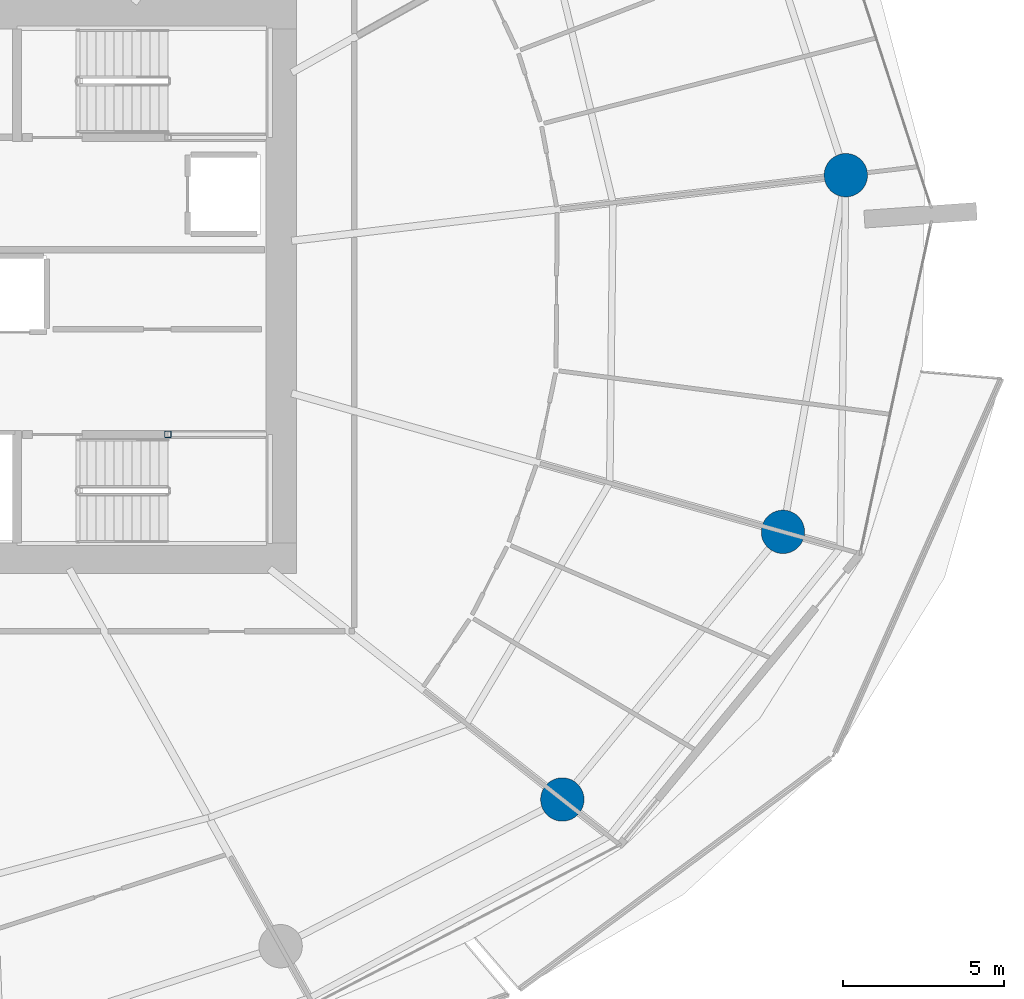
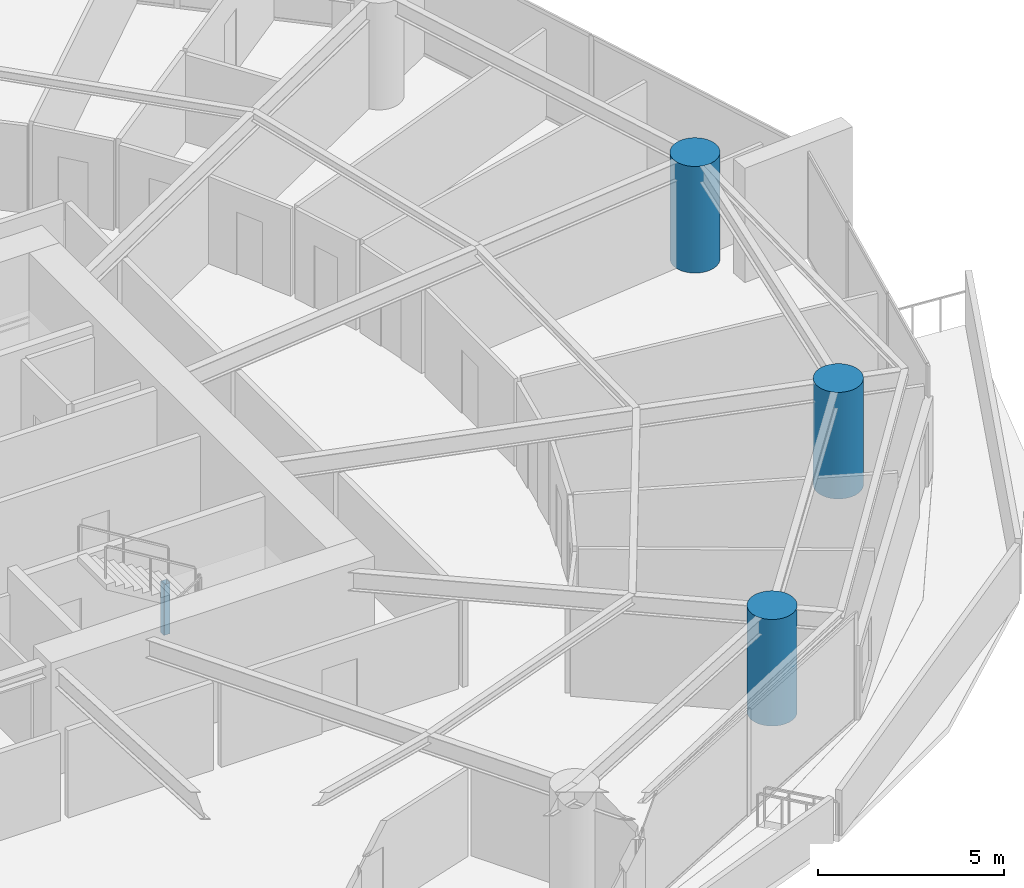
# One storey, part 3 of 31: 4 columns.
"""IFC4 building model written with IfcOpenShell, lengths in metres."""

from ifc_helpers import new_model, si_unit, direction, frame, origin, origin_2d, place, context, subcontext, project, spatial, hollow_rectangle, circle, extrude, material, material_profile, profile_set, type_object, element, save


model = new_model("IFC4")

# Units and contexts
model_context = context("Model", 3, precision=1e-05, world=origin(), true_north=direction((0.0, 1.0)))
body_context = subcontext(model_context, "Body", "Model", "MODEL_VIEW")
ifc_project = project(units=[si_unit("LENGTHUNIT", "METRE"), si_unit("AREAUNIT", "SQUARE_METRE"), si_unit("VOLUMEUNIT", "CUBIC_METRE"), si_unit("PLANEANGLEUNIT", "RADIAN"), si_unit("MASSUNIT", "GRAM", prefix="KILO")], contexts=[model_context])

# Site, building, storey
site_placement = place(None, origin())
site = spatial("IfcSite", under=ifc_project, at=site_placement, CompositionType="ELEMENT")
building_placement = place(site_placement, origin())
building = spatial("IfcBuilding", under=site, at=building_placement, Name="Kazma Halo Residences", CompositionType="ELEMENT")
storey_placement = place(building_placement, frame((0.0, 0.0, 30.14990234375)))
storey = spatial("IfcBuildingStorey", under=building, at=storey_placement, Name="L06", CompositionType="ELEMENT", Elevation=30.14990234375)

# Columns
ifc_material_1 = material(Name="Steel S355", Category="steel")
ifc_material_profile_1 = material_profile(ifc_material_1, hollow_rectangle(XDim=0.199951171875, YDim=0.199951171875, WallThickness=0.010009765625, InnerFilletRadius=0.010009765625, OuterFilletRadius=0.02001953125, at=origin_2d()), Name="SHS200x200x10")
ifc_profile_set_1 = profile_set([ifc_material_profile_1], Name="Steel S355")
column_type_1 = type_object("IfcColumnType", Name="COL-LP-SHS200", PredefinedType="COLUMN", material=ifc_profile_set_1)
column_placement = place(storey_placement, frame((56.0, 37.3798828125, 0.0), z_axis=(0.0, 0.0, 1.0), x_axis=(1.0, 0.0, 0.0)))
element("IfcColumn", 1, at=column_placement, inside=storey, type_object=column_type_1, Name="L06 ST-03 landing pilaster 1", PredefinedType="COLUMN", context=body_context, shape_type="SweptSolid", body=[
    extrude(hollow_rectangle(XDim=0.199951171875, YDim=0.199951171875, WallThickness=0.010009765625, InnerFilletRadius=0.010009765625, OuterFilletRadius=0.02001953125, at=origin_2d()), origin(), (0.0, 0.0, 1.0), 1.670166015625),
])
ifc_material_2 = material(Name="Concrete C80/95", Category="concrete")
ifc_material_profile_2 = material_profile(ifc_material_2, circle(Radius=0.675048828125, at=origin_2d()), Name="CIRC1350")
ifc_profile_set_2 = profile_set([ifc_material_profile_2], Name="Concrete C80/95")
column_type_2 = type_object("IfcColumnType", Name="COL-PERIM-1350", PredefinedType="COLUMN", material=ifc_profile_set_2)
for number, where, z_axis, x_axis, name in (
    (2, (68.27587890625, 26.015869140625, 0.0), (0.0, 0.0, 1.0), (1.0, 0.0, 0.0), "L06 perimeter ring column P14"),
    (3, (75.140869140625, 34.345458984375, 0.0), (0.0, 0.0, 1.0), (1.0, 0.0, 0.0), "L06 perimeter ring column P15"),
    (4, (77.097900390625, 45.444091796875, 0.0), (0.0, 0.0, 1.0), (1.0, 0.0, 0.0), "L06 perimeter ring column P16"),
):
    element("IfcColumn", number, at=place(storey_placement, frame(where, z_axis=z_axis, x_axis=x_axis)), inside=storey, type_object=column_type_2, Name=name, PredefinedType="COLUMN", context=body_context, shape_type="SweptSolid", body=[
        extrude(circle(Radius=0.675048828125, at=origin_2d()), origin(), (0.0, 0.0, 1.0), 3.5),
    ])

save(model, "model.ifc")
